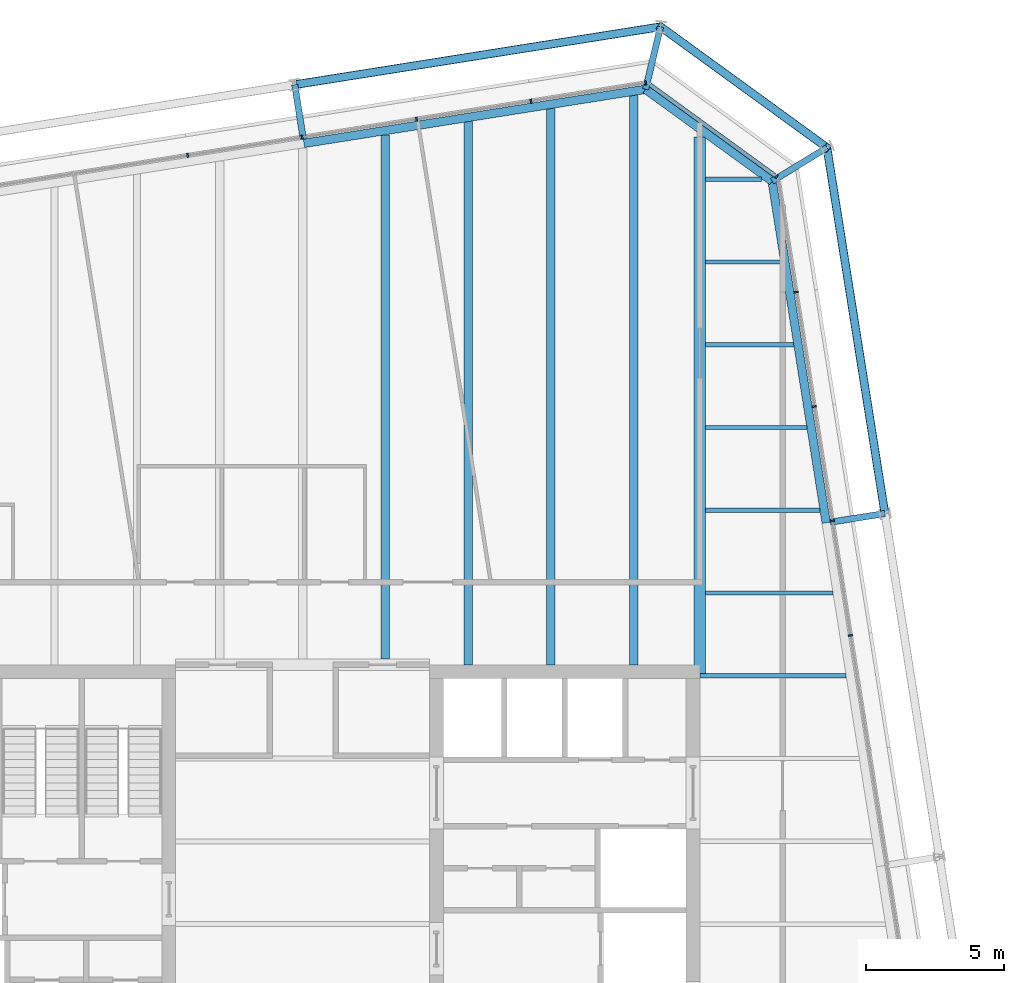
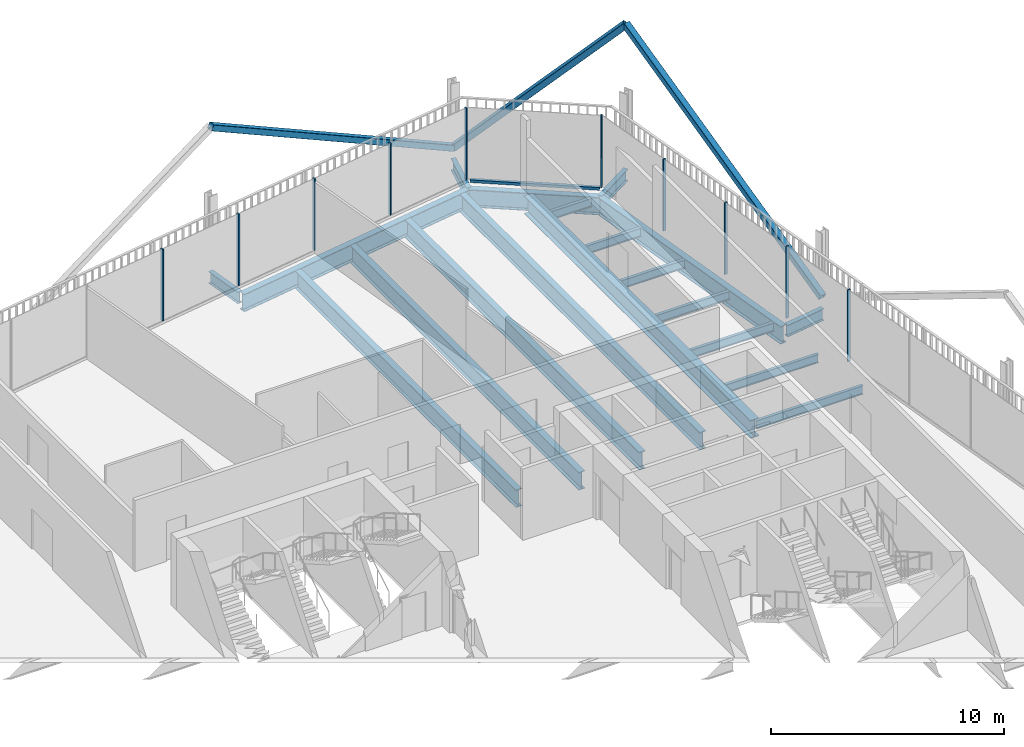
# One storey, part 15 of 21: 19 beams, 14 members, 3 elements without a shape of their own.
"""IFC4 building model written with IfcOpenShell, lengths in metres."""

import ifcopenshell
import ifcopenshell.guid

model = None  # the IFC model being written
_history = None  # IfcOwnerHistory: only IFC2X3 demands one
_inside = {}  # id of a spatial element -> (the spatial element, [elements in it])
_under = {}  # id of a project, library or spatial element -> (it, [spatial elements below it])
_declared = {}  # id of a project -> (the project, [libraries it declares])
_typed = {}  # id of a type object -> (the type object, [elements of that type])
_made_of = {}  # id of a material, layer set ... -> (it, [elements and type objects made of it])


def new_model(schema):
    """Start an empty IFC model of exactly this schema.

    Asked for "IFC4X3", IfcOpenShell would pick the latest addendum, in which some entities
    have other attributes; the version numbers below select the first issue.
    IFC2X3 requires an IfcOwnerHistory on every rooted entity: one is made here for all.
    """
    global model, _history
    if schema == "IFC4X3":
        model = ifcopenshell.file(schema_version=(4, 3, 0, 0))
    else:
        model = ifcopenshell.file(schema=schema)
    _inside.clear()
    _under.clear()
    _declared.clear()
    _typed.clear()
    _made_of.clear()
    _history = None
    if model.schema == "IFC2X3":
        org = make("IfcOrganization", Name="unknown")
        user = make(
            "IfcPersonAndOrganization",
            ThePerson=make("IfcPerson", FamilyName="unknown"),
            TheOrganization=org,
        )
        app = make(
            "IfcApplication",
            ApplicationDeveloper=org,
            Version="unknown",
            ApplicationFullName="unknown",
            ApplicationIdentifier="unknown",
        )
        _history = make(
            "IfcOwnerHistory",
            OwningUser=user,
            OwningApplication=app,
            ChangeAction="ADDED",
            CreationDate=0,
        )
    return model


def make(cls, **values):
    """One entity of the class cls with the attributes given. An attribute that is None is left unset."""
    return model.create_entity(
        cls, **{name: value for name, value in values.items() if value is not None}
    )


def rooted(cls, **values):
    """An entity with a GlobalId (a new one), such as an element, a storey or a relation."""
    return make(cls, GlobalId=ifcopenshell.guid.new(), OwnerHistory=_history, **values)


def si_unit(unit_type, name, prefix=None):
    """IfcSIUnit, for example si_unit("LENGTHUNIT", "METRE", prefix="MILLI")."""
    return make("IfcSIUnit", UnitType=unit_type, Prefix=prefix, Name=name)


def assignment(units):
    """IfcUnitAssignment: the units of a project."""
    return None if units is None else make("IfcUnitAssignment", Units=units)


def point(xyz):
    """IfcCartesianPoint."""
    return None if xyz is None else make("IfcCartesianPoint", Coordinates=xyz)


def direction(xyz):
    """IfcDirection."""
    return None if xyz is None else make("IfcDirection", DirectionRatios=xyz)


def frame(location, z_axis=None, x_axis=None):
    """IfcAxis2Placement3D, a coordinate frame: its origin and axes. An axis left out is left unset."""
    return make(
        "IfcAxis2Placement3D",
        Location=point(location),
        Axis=direction(z_axis),
        RefDirection=direction(x_axis),
    )


def frame_2d(location, x_axis=None):
    """IfcAxis2Placement2D, a coordinate frame in the plane: its origin and x axis."""
    return make(
        "IfcAxis2Placement2D", Location=point(location), RefDirection=direction(x_axis)
    )


def origin():
    """The frame at (0, 0, 0) with its axes left unset."""
    return frame((0.0, 0.0, 0.0))


def origin_2d():
    """The frame at (0, 0) in the plane with its x axis left unset."""
    return frame_2d((0.0, 0.0))


def place(relative_to, where):
    """IfcLocalPlacement: puts the frame where relative to a parent placement (None: the world)."""
    return make(
        "IfcLocalPlacement", PlacementRelTo=relative_to, RelativePlacement=where
    )


def context(
    kind, dimensions, precision=None, world=None, true_north=None, identifier=None
):
    """IfcGeometricRepresentationContext, for example the 3D "Model" context."""
    return make(
        "IfcGeometricRepresentationContext",
        ContextIdentifier=identifier,
        ContextType=kind,
        CoordinateSpaceDimension=dimensions,
        Precision=precision,
        WorldCoordinateSystem=world,
        TrueNorth=true_north,
    )


def subcontext(parent, identifier, kind, view, scale=None):
    """IfcGeometricRepresentationSubContext, for example "Body" below "Model"."""
    return make(
        "IfcGeometricRepresentationSubContext",
        ContextIdentifier=identifier,
        ContextType=kind,
        ParentContext=parent,
        TargetScale=scale,
        TargetView=view,
    )


def project(units=None, contexts=None):
    """IfcProject with its units and contexts."""
    return rooted(
        "IfcProject",
        Name="project",
        RepresentationContexts=contexts,
        UnitsInContext=assignment(units),
    )


def spatial(cls, under=None, at=None, **own):
    """A site, building, storey or space (cls), placed at a placement, below another one or the project."""
    s = rooted(cls, ObjectPlacement=at, **own)
    if under is not None:
        _under.setdefault(under.id(), (under, []))[1].append(s)
    return s


def profile(cls, at=None, kind="AREA", **sizes):
    """A parametric profile (cls). Its sizes go by their IFC names, for example OverallWidth=200.0."""
    return make(cls, ProfileType=kind, Position=at, **sizes)


def rectangle(**sizes):
    """IfcRectangleProfileDef."""
    return profile("IfcRectangleProfileDef", **sizes)


def hollow_rectangle(**sizes):
    """IfcRectangleHollowProfileDef."""
    return profile("IfcRectangleHollowProfileDef", **sizes)


def i_section(**sizes):
    """IfcIShapeProfileDef."""
    return profile("IfcIShapeProfileDef", **sizes)


def extrude(swept, where, along, depth):
    """IfcExtrudedAreaSolid: the profile swept, set in the frame where, extruded along a direction by depth."""
    return make(
        "IfcExtrudedAreaSolid",
        SweptArea=swept,
        Position=where,
        ExtrudedDirection=direction(along),
        Depth=depth,
    )


def shape(context_of_items, identifier, shape_type, items):
    """IfcShapeRepresentation: the items that make up one representation, for example the "Body"."""
    return make(
        "IfcShapeRepresentation",
        ContextOfItems=context_of_items,
        RepresentationIdentifier=identifier,
        RepresentationType=shape_type,
        Items=items,
    )


def material(Name=None, Category=None):
    """IfcMaterial."""
    return make("IfcMaterial", Name=Name, Category=Category)


def layer(
    of_material, thickness, ventilated=None, Name=None, Category=None, Priority=None
):
    """IfcMaterialLayer: one layer of a wall or slab, of a material (None: an air gap)."""
    return make(
        "IfcMaterialLayer",
        Material=of_material,
        LayerThickness=thickness,
        IsVentilated=ventilated,
        Name=Name,
        Category=Category,
        Priority=Priority,
    )


def layer_set(layers, Name=None):
    """IfcMaterialLayerSet."""
    return make("IfcMaterialLayerSet", MaterialLayers=layers, LayerSetName=Name)


def material_profile(
    of_material, cross_section, Name=None, Category=None, Priority=None
):
    """IfcMaterialProfile: a cross section and its material."""
    return make(
        "IfcMaterialProfile",
        Name=Name,
        Material=of_material,
        Profile=cross_section,
        Priority=Priority,
        Category=Category,
    )


def profile_set(profiles, Name=None, composite=None):
    """IfcMaterialProfileSet."""
    return make(
        "IfcMaterialProfileSet",
        Name=Name,
        MaterialProfiles=profiles,
        CompositeProfile=composite,
    )


def made_of(thing, what):
    """Note that an element or type object is made of a material, layer set ...; save() writes the relation."""
    if what is not None:
        _made_of.setdefault(what.id(), (what, []))[1].append(thing)
    return thing


def type_object(cls, material=None, **own):
    """A type object (cls), such as IfcWallType, which elements share."""
    return made_of(rooted(cls, **own), material)


def element(
    cls,
    number,
    at=None,
    inside=None,
    cuts=None,
    type_object=None,
    material=None,
    context=None,
    identifier="Body",
    shape_type=None,
    held_by="IfcProductDefinitionShape",
    body=None,
    shapes=None,
    **own,
):
    """One element of the class cls, such as IfcWall. Its Tag is "e" and its number.

    at: its placement. inside: the storey or other place that contains it. cuts: it is an
    opening in that element (IfcRelVoidsElement). A single representation is given by context,
    identifier, shape_type and body (its items); several are given by shapes. held_by: the class
    of the entity that holds the representations. save() writes the other relations.
    """
    e = rooted(cls, Tag="e%d" % number, ObjectPlacement=at, **own)
    if body is not None:
        shapes = [shape(context, identifier, shape_type, body)]
    if shapes is not None:
        e.Representation = make(held_by, Representations=shapes)
    if inside is not None:
        _inside.setdefault(inside.id(), (inside, []))[1].append(e)
    if cuts is not None:
        rooted(
            "IfcRelVoidsElement", RelatingBuildingElement=cuts, RelatedOpeningElement=e
        )
    if type_object is not None:
        _typed.setdefault(type_object.id(), (type_object, []))[1].append(e)
    return made_of(e, material)


def aggregate(whole, parts):
    """IfcRelAggregates: a whole, such as a stair, and the parts it consists of."""
    return rooted("IfcRelAggregates", RelatingObject=whole, RelatedObjects=parts)


def save(model, path):
    """Write the relations noted so far, then the file.

    IfcRelAggregates (storeys below a building ...), IfcRelContainedInSpatialStructure (elements
    in a storey), IfcRelDefinesByType, IfcRelAssociatesMaterial and IfcRelDeclares: one each for
    every whole, place, type object, material and project.
    """
    for whole, parts in _under.values():
        aggregate(whole, parts)
    for where, things in _inside.values():
        rooted(
            "IfcRelContainedInSpatialStructure",
            RelatedElements=things,
            RelatingStructure=where,
        )
    for kind, things in _typed.values():
        rooted("IfcRelDefinesByType", RelatedObjects=things, RelatingType=kind)
    for what, things in _made_of.values():
        rooted("IfcRelAssociatesMaterial", RelatedObjects=things, RelatingMaterial=what)
    for by, libraries in _declared.values():
        rooted("IfcRelDeclares", RelatingContext=by, RelatedDefinitions=libraries)
    model.write(path)


model = new_model("IFC4")

# Units and contexts
model_context = context("Model", 3, precision=1e-05, world=origin(), true_north=direction((0.0, 1.0)))
body_context = subcontext(model_context, "Body", "Model", "MODEL_VIEW")
ifc_project = project(units=[si_unit("LENGTHUNIT", "METRE"), si_unit("AREAUNIT", "SQUARE_METRE"), si_unit("VOLUMEUNIT", "CUBIC_METRE"), si_unit("PLANEANGLEUNIT", "RADIAN"), si_unit("MASSUNIT", "GRAM", prefix="KILO")], contexts=[model_context])

# Site, building, storey
site_placement = place(None, origin())
site = spatial("IfcSite", under=ifc_project, at=site_placement, CompositionType="ELEMENT")
building_placement = place(site_placement, origin())
building = spatial("IfcBuilding", under=site, at=building_placement, Name="Millrace Tower", CompositionType="ELEMENT")
storey_placement = place(building_placement, frame((0.0, 0.0, 212.5)))
storey = spatial("IfcBuildingStorey", under=building, at=storey_placement, Name="L48", CompositionType="ELEMENT", Elevation=212.5)

# Curtain wall, members
ifc_material_1 = material(Name="Aluminium and glass", Category="aluminium")
ifc_layer = layer(ifc_material_1, 0.14990234375)
ifc_layer_set = layer_set([ifc_layer], Name="Aluminium and glass")
curtain_wall_type = type_object("IfcCurtainWallType", Name="CW-1 office vision curtain wall", PredefinedType="NOTDEFINED", material=ifc_layer_set)
placement = place(storey_placement, origin())
curtain_wall_1 = element("IfcCurtainWall", 1, at=placement, inside=storey, type_object=curtain_wall_type, Name="Curtain wall D-F04 L48", PredefinedType="NOTDEFINED")
ifc_material_2 = material(Name="Aluminium", Category="aluminium")
ifc_material_profile_1 = material_profile(ifc_material_2, rectangle(XDim=0.06494140625, YDim=0.14990234375, at=origin_2d()))
ifc_profile_set_1 = profile_set([ifc_material_profile_1], Name="Aluminium")
member_type_1 = type_object("IfcMemberType", Name="CW-1 office vision curtain wall mullion", PredefinedType="MULLION", material=ifc_profile_set_1)
member_1_placement = place(storey_placement, frame((19.857421875, 10.466064453125, 0.139892578125), z_axis=(0.0, 0.0, 1.0), x_axis=(-0.156434471884, 0.987688339511, 0.0)))
member_1 = element("IfcMember", 2, at=member_1_placement, type_object=member_type_1, Name="CW1 mullion D-F04.6", PredefinedType="MULLION", context=body_context, shape_type="SweptSolid", body=[
    extrude(rectangle(XDim=0.06494140625, YDim=0.14990234375, at=origin_2d()), origin(), (0.0, 0.0, 1.0), 3.760009765625),
])
member_2_placement = place(storey_placement, frame((19.2001953125, 14.6142578125, 0.139892578125), z_axis=(0.0, 0.0, 1.0), x_axis=(-0.156434471884, 0.987688339511, 0.0)))
member_2 = element("IfcMember", 3, at=member_2_placement, type_object=member_type_1, Name="CW1 mullion D-F04.7", PredefinedType="MULLION", context=body_context, shape_type="SweptSolid", body=[
    extrude(rectangle(XDim=0.06494140625, YDim=0.14990234375, at=origin_2d()), origin(), (0.0, 0.0, 1.0), 3.760009765625),
])
member_3_placement = place(storey_placement, frame((18.543212890625, 18.762451171875, 0.139892578125), z_axis=(0.0, 0.0, 1.0), x_axis=(-0.156434471884, 0.987688339511, 0.0)))
member_3 = element("IfcMember", 4, at=member_3_placement, type_object=member_type_1, Name="CW1 mullion D-F04.8", PredefinedType="MULLION", context=body_context, shape_type="SweptSolid", body=[
    extrude(rectangle(XDim=0.06494140625, YDim=0.14990234375, at=origin_2d()), origin(), (0.0, 0.0, 1.0), 3.760009765625),
])
member_4_placement = place(storey_placement, frame((17.88623046875, 22.910888671875, 0.139892578125), z_axis=(0.0, 0.0, 1.0), x_axis=(-0.156434471884, 0.987688339511, 0.0)))
member_4 = element("IfcMember", 5, at=member_4_placement, type_object=member_type_1, Name="CW1 mullion D-F04.9", PredefinedType="MULLION", context=body_context, shape_type="SweptSolid", body=[
    extrude(rectangle(XDim=0.06494140625, YDim=0.14990234375, at=origin_2d()), origin(), (0.0, 0.0, 1.0), 3.760009765625),
])
aggregate(curtain_wall_1, [member_1, member_2, member_3, member_4])

# Curtain wall, member
curtain_wall_2 = element("IfcCurtainWall", 6, at=placement, inside=storey, type_object=curtain_wall_type, Name="Curtain wall D-F05 L48", PredefinedType="NOTDEFINED")
member_5_placement = place(storey_placement, frame((17.177978515625, 27.094970703125, 0.139892578125), z_axis=(0.0, 0.0, 1.0), x_axis=(-0.809016955361, 0.587785305991, 0.0)))
member_5 = element("IfcMember", 7, at=member_5_placement, type_object=member_type_1, Name="CW1 mullion D-F05.1", PredefinedType="MULLION", context=body_context, shape_type="SweptSolid", body=[
    extrude(rectangle(XDim=0.06494140625, YDim=0.14990234375, at=origin_2d()), origin(), (0.0, 0.0, 1.0), 3.760009765625),
])

# Curtain wall, members
curtain_wall_3 = element("IfcCurtainWall", 8, at=placement, inside=storey, type_object=curtain_wall_type, Name="Curtain wall D-F06 L48", PredefinedType="NOTDEFINED")
member_6_placement = place(storey_placement, frame((12.425537109375, 30.492431640625, 0.139892578125), z_axis=(0.0, 0.0, 1.0), x_axis=(-0.987688339511, -0.156434471884, 0.0)))
member_6 = element("IfcMember", 9, at=member_6_placement, type_object=member_type_1, Name="CW1 mullion D-F06.1", PredefinedType="MULLION", context=body_context, shape_type="SweptSolid", body=[
    extrude(rectangle(XDim=0.06494140625, YDim=0.14990234375, at=origin_2d()), origin(), (0.0, 0.0, 1.0), 3.760009765625),
])
member_7_placement = place(storey_placement, frame((8.277099609375, 29.83544921875, 0.139892578125), z_axis=(0.0, 0.0, 1.0), x_axis=(-0.987688339511, -0.156434471884, 0.0)))
member_7 = element("IfcMember", 10, at=member_7_placement, type_object=member_type_1, Name="CW1 mullion D-F06.2", PredefinedType="MULLION", context=body_context, shape_type="SweptSolid", body=[
    extrude(rectangle(XDim=0.06494140625, YDim=0.14990234375, at=origin_2d()), origin(), (0.0, 0.0, 1.0), 3.760009765625),
])
member_8_placement = place(storey_placement, frame((4.12890625, 29.178466796875, 0.139892578125), z_axis=(0.0, 0.0, 1.0), x_axis=(-0.987688339511, -0.156434471884, 0.0)))
member_8 = element("IfcMember", 11, at=member_8_placement, type_object=member_type_1, Name="CW1 mullion D-F06.3", PredefinedType="MULLION", context=body_context, shape_type="SweptSolid", body=[
    extrude(rectangle(XDim=0.06494140625, YDim=0.14990234375, at=origin_2d()), origin(), (0.0, 0.0, 1.0), 3.760009765625),
])
member_9_placement = place(storey_placement, frame((-0.019287109375, 28.521240234375, 0.139892578125), z_axis=(0.0, 0.0, 1.0), x_axis=(-0.987688339511, -0.156434471884, 0.0)))
member_9 = element("IfcMember", 12, at=member_9_placement, type_object=member_type_1, Name="CW1 mullion D-F06.4", PredefinedType="MULLION", context=body_context, shape_type="SweptSolid", body=[
    extrude(rectangle(XDim=0.06494140625, YDim=0.14990234375, at=origin_2d()), origin(), (0.0, 0.0, 1.0), 3.760009765625),
])
member_10_placement = place(storey_placement, frame((-4.167724609375, 27.8642578125, 0.139892578125), z_axis=(0.0, 0.0, 1.0), x_axis=(-0.987688339511, -0.156434471884, 0.0)))
member_10 = element("IfcMember", 13, at=member_10_placement, type_object=member_type_1, Name="CW1 mullion D-F06.5", PredefinedType="MULLION", context=body_context, shape_type="SweptSolid", body=[
    extrude(rectangle(XDim=0.06494140625, YDim=0.14990234375, at=origin_2d()), origin(), (0.0, 0.0, 1.0), 3.760009765625),
])
aggregate(curtain_wall_3, [member_6, member_7, member_8, member_9, member_10])

# Member
ifc_material_3 = material(Name="Aluminium", Category="aluminium")
ifc_material_profile_2 = material_profile(ifc_material_3, rectangle(XDim=0.14990234375, YDim=0.139892578125, at=origin_2d()))
ifc_profile_set_2 = profile_set([ifc_material_profile_2], Name="Aluminium")
member_type_2 = type_object("IfcMemberType", Name="CW-1 office vision curtain wall transom", PredefinedType="USERDEFINED", material=ifc_profile_set_2)
member_11_placement = place(storey_placement, frame((17.123291015625, 27.134765625, 0.070068359375), z_axis=(-0.809018869857, 0.587782670904, 0.0), x_axis=(-0.587782670904, -0.809018869857, 0.0)))
member_11 = element("IfcMember", 14, at=member_11_placement, type_object=member_type_2, Name="CW1 transom D-F05.1", ObjectType="TRANSOM", PredefinedType="USERDEFINED", context=body_context, shape_type="SweptSolid", body=[
    extrude(rectangle(XDim=0.14990234375, YDim=0.139892578125, at=origin_2d()), origin(), (0.0, 0.0, 1.0), 5.59814453125),
])

aggregate(curtain_wall_2, [member_5, member_11])

# Members
ifc_material_4 = material(Name="Steel ASTM A500 Grade C", Category="steel")
ifc_material_profile_3 = material_profile(ifc_material_4, hollow_rectangle(XDim=0.3046875, YDim=0.3046875, WallThickness=0.0126953125, InnerFilletRadius=0.00634765625, OuterFilletRadius=0.01904296875, at=origin_2d()))
ifc_profile_set_3 = profile_set([ifc_material_profile_3], Name="Steel ASTM A500 Grade C")
member_type_3 = type_object("IfcMemberType", Name="Exoskeleton brace HSS12x12x1/2", PredefinedType="BRACE", material=ifc_profile_set_3)
member_12_placement = place(storey_placement, frame((21.106689453125, 14.88330078125, 0.39990234375), z_axis=(-0.138712380788, 0.87583551821, 0.462245627841), x_axis=(-0.987689444837, -0.156427492975, 0.0)))
element("IfcMember", 15, at=member_12_placement, inside=storey, type_object=member_type_3, Name="BRC-D-L48-08", PredefinedType="BRACE", context=body_context, shape_type="SweptSolid", body=[
    extrude(hollow_rectangle(XDim=0.3046875, YDim=0.3046875, WallThickness=0.0126953125, InnerFilletRadius=0.00634765625, OuterFilletRadius=0.01904296875, at=origin_2d()), origin(), (0.0, 0.0, 1.0), 15.1435546875),
])
member_13_placement = place(storey_placement, frame((12.974609375, 32.5283203125, 0.39990234375), z_axis=(0.589795997835, -0.428482435505, 0.684502361867), x_axis=(0.587758820843, 0.809036197288, 0.0)))
element("IfcMember", 16, at=member_13_placement, inside=storey, type_object=member_type_3, Name="BRC-D-L48-09", PredefinedType="BRACE", context=body_context, shape_type="SweptSolid", body=[
    extrude(hollow_rectangle(XDim=0.3046875, YDim=0.3046875, WallThickness=0.0126953125, InnerFilletRadius=0.00634765625, OuterFilletRadius=0.01904296875, at=origin_2d()), origin(), (0.0, 0.0, 1.0), 10.226318359375),
])
member_14_placement = place(storey_placement, frame((12.974609375, 32.5283203125, 0.39990234375), z_axis=(-0.875831763156, -0.138714339442, 0.462252154868), x_axis=(0.156430301989, -0.987688999949, 0.0)))
element("IfcMember", 17, at=member_14_placement, inside=storey, type_object=member_type_3, Name="BRC-D-L48-10", PredefinedType="BRACE", context=body_context, shape_type="SweptSolid", body=[
    extrude(hollow_rectangle(XDim=0.3046875, YDim=0.3046875, WallThickness=0.0126953125, InnerFilletRadius=0.00634765625, OuterFilletRadius=0.01904296875, at=origin_2d()), origin(), (0.0, 0.0, 1.0), 15.143310546875),
])

# Beams
ifc_material_5 = material(Name="Steel ASTM A992 Grade 50", Category="steel")
ifc_material_profile_4 = material_profile(ifc_material_5, i_section(OverallWidth=0.15234375, OverallDepth=0.449462890625, WebThickness=0.007568359375, FlangeThickness=0.0107421875, FilletRadius=0.01025390625, at=origin_2d()))
ifc_profile_set_4 = profile_set([ifc_material_profile_4], Name="Steel ASTM A992 Grade 50")
beam_type_1 = type_object("IfcBeamType", Name="Floor beam W18x35", PredefinedType="JOIST", material=ifc_profile_set_4)
beam_1_placement = place(storey_placement, frame((14.39990234375, 9.0, -0.384765625), z_axis=(1.0, 0.0, 0.0), x_axis=(0.0, 1.0, 0.0)))
element("IfcBeam", 18, at=beam_1_placement, inside=storey, type_object=beam_type_1, Name="BM-D-L48-S1-S024", PredefinedType="JOIST", context=body_context, shape_type="SweptSolid", body=[
    extrude(i_section(OverallWidth=0.15234375, OverallDepth=0.449462890625, WebThickness=0.007568359375, FlangeThickness=0.0107421875, FilletRadius=0.01025390625, at=origin_2d()), origin(), (0.0, 0.0, 1.0), 5.302490234375),
])
beam_2_placement = place(storey_placement, frame((14.609619140625, 12.0, -0.384765625), z_axis=(1.0, 0.0, 0.0), x_axis=(0.0, 1.0, 0.0)))
element("IfcBeam", 19, at=beam_2_placement, inside=storey, type_object=beam_type_1, Name="BM-D-L48-S1-S026", PredefinedType="JOIST", context=body_context, shape_type="SweptSolid", body=[
    extrude(i_section(OverallWidth=0.15234375, OverallDepth=0.449462890625, WebThickness=0.007568359375, FlangeThickness=0.0107421875, FilletRadius=0.01025390625, at=origin_2d()), origin(), (0.0, 0.0, 1.0), 4.61767578125),
])
beam_3_placement = place(storey_placement, frame((14.609619140625, 15.0, -0.384765625), z_axis=(1.0, 0.0, 0.0), x_axis=(0.0, 1.0, 0.0)))
element("IfcBeam", 20, at=beam_3_placement, inside=storey, type_object=beam_type_1, Name="BM-D-L48-S1-S028", PredefinedType="JOIST", context=body_context, shape_type="SweptSolid", body=[
    extrude(i_section(OverallWidth=0.15234375, OverallDepth=0.449462890625, WebThickness=0.007568359375, FlangeThickness=0.0107421875, FilletRadius=0.01025390625, at=origin_2d()), origin(), (0.0, 0.0, 1.0), 4.142578125),
])
beam_4_placement = place(storey_placement, frame((14.609619140625, 18.0, -0.384765625), z_axis=(1.0, 0.0, 0.0), x_axis=(0.0, 1.0, 0.0)))
element("IfcBeam", 21, at=beam_4_placement, inside=storey, type_object=beam_type_1, Name="BM-D-L48-S1-S030", PredefinedType="JOIST", context=body_context, shape_type="SweptSolid", body=[
    extrude(i_section(OverallWidth=0.15234375, OverallDepth=0.449462890625, WebThickness=0.007568359375, FlangeThickness=0.0107421875, FilletRadius=0.01025390625, at=origin_2d()), origin(), (0.0, 0.0, 1.0), 3.667236328125),
])
beam_5_placement = place(storey_placement, frame((14.609619140625, 21.0, -0.384765625), z_axis=(1.0, 0.0, 0.0), x_axis=(0.0, 1.0, 0.0)))
element("IfcBeam", 22, at=beam_5_placement, inside=storey, type_object=beam_type_1, Name="BM-D-L48-S1-S032", PredefinedType="JOIST", context=body_context, shape_type="SweptSolid", body=[
    extrude(i_section(OverallWidth=0.15234375, OverallDepth=0.449462890625, WebThickness=0.007568359375, FlangeThickness=0.0107421875, FilletRadius=0.01025390625, at=origin_2d()), origin(), (0.0, 0.0, 1.0), 3.192138671875),
])
beam_6_placement = place(storey_placement, frame((14.609619140625, 24.0, -0.384765625), z_axis=(1.0, 0.0, 0.0), x_axis=(0.0, 1.0, 0.0)))
element("IfcBeam", 23, at=beam_6_placement, inside=storey, type_object=beam_type_1, Name="BM-D-L48-S1-S034", PredefinedType="JOIST", context=body_context, shape_type="SweptSolid", body=[
    extrude(i_section(OverallWidth=0.15234375, OverallDepth=0.449462890625, WebThickness=0.007568359375, FlangeThickness=0.0107421875, FilletRadius=0.01025390625, at=origin_2d()), origin(), (0.0, 0.0, 1.0), 2.717041015625),
])
beam_7_placement = place(storey_placement, frame((14.609619140625, 27.0, -0.384765625), z_axis=(1.0, 0.0, 0.0), x_axis=(0.0, 1.0, 0.0)))
element("IfcBeam", 24, at=beam_7_placement, inside=storey, type_object=beam_type_1, Name="BM-D-L48-S1-S035", PredefinedType="JOIST", context=body_context, shape_type="SweptSolid", body=[
    extrude(i_section(OverallWidth=0.15234375, OverallDepth=0.449462890625, WebThickness=0.007568359375, FlangeThickness=0.0107421875, FilletRadius=0.01025390625, at=origin_2d()), origin(), (0.0, 0.0, 1.0), 2.020751953125),
])
ifc_material_6 = material(Name="Steel ASTM A992 Grade 50", Category="steel")
ifc_material_profile_5 = material_profile(ifc_material_6, i_section(OverallWidth=0.307373046875, OverallDepth=0.927001953125, WebThickness=0.01953125, FlangeThickness=0.031982421875, FilletRadius=0.01904296875, at=origin_2d()))
ifc_profile_set_5 = profile_set([ifc_material_profile_5], Name="Steel ASTM A992 Grade 50")
beam_type_2 = type_object("IfcBeamType", Name="Floor beam W36x194", PredefinedType="JOIST", material=ifc_profile_set_5)
beam_8_placement = place(storey_placement, frame((3.0, 9.609619140625, -0.62353515625), z_axis=(0.0, 1.0, 0.0), x_axis=(-1.0, 0.0, 0.0)))
element("IfcBeam", 25, at=beam_8_placement, inside=storey, type_object=beam_type_2, Name="BM-D-L48-S1-S046", PredefinedType="JOIST", context=body_context, shape_type="SweptSolid", body=[
    extrude(i_section(OverallWidth=0.307373046875, OverallDepth=0.927001953125, WebThickness=0.01953125, FlangeThickness=0.031982421875, FilletRadius=0.01904296875, at=origin_2d()), origin(), (0.0, 0.0, 1.0), 19.0029296875),
])
beam_9_placement = place(storey_placement, frame((6.0, 9.39990234375, -0.62353515625), z_axis=(0.0, 1.0, 0.0), x_axis=(-1.0, 0.0, 0.0)))
element("IfcBeam", 26, at=beam_9_placement, inside=storey, type_object=beam_type_2, Name="BM-D-L48-S1-S048", PredefinedType="JOIST", context=body_context, shape_type="SweptSolid", body=[
    extrude(i_section(OverallWidth=0.307373046875, OverallDepth=0.927001953125, WebThickness=0.01953125, FlangeThickness=0.031982421875, FilletRadius=0.01904296875, at=origin_2d()), origin(), (0.0, 0.0, 1.0), 19.687744140625),
])
beam_10_placement = place(storey_placement, frame((9.0, 9.39990234375, -0.62353515625), z_axis=(0.0, 1.0, 0.0), x_axis=(-1.0, 0.0, 0.0)))
element("IfcBeam", 27, at=beam_10_placement, inside=storey, type_object=beam_type_2, Name="BM-D-L48-S1-S050", PredefinedType="JOIST", context=body_context, shape_type="SweptSolid", body=[
    extrude(i_section(OverallWidth=0.307373046875, OverallDepth=0.927001953125, WebThickness=0.01953125, FlangeThickness=0.031982421875, FilletRadius=0.01904296875, at=origin_2d()), origin(), (0.0, 0.0, 1.0), 20.162841796875),
])
beam_11_placement = place(storey_placement, frame((12.0, 9.39990234375, -0.62353515625), z_axis=(0.0, 1.0, 0.0), x_axis=(-1.0, 0.0, 0.0)))
element("IfcBeam", 28, at=beam_11_placement, inside=storey, type_object=beam_type_2, Name="BM-D-L48-S1-S052", PredefinedType="JOIST", context=body_context, shape_type="SweptSolid", body=[
    extrude(i_section(OverallWidth=0.307373046875, OverallDepth=0.927001953125, WebThickness=0.01953125, FlangeThickness=0.031982421875, FilletRadius=0.01904296875, at=origin_2d()), origin(), (0.0, 0.0, 1.0), 20.637939453125),
])
ifc_material_7 = material(Name="Steel ASTM A992 Grade 50", Category="steel")
ifc_material_profile_6 = material_profile(ifc_material_7, i_section(OverallWidth=0.424072265625, OverallDepth=0.947509765625, WebThickness=0.02392578125, FlangeThickness=0.042724609375, FilletRadius=0.024169921875, at=origin_2d()))
ifc_profile_set_6 = profile_set([ifc_material_profile_6], Name="Steel ASTM A992 Grade 50")
beam_type_3 = type_object("IfcBeamType", Name="Girder medium span W36x302", PredefinedType="BEAM", material=ifc_profile_set_6)
beam_12_placement = place(storey_placement, frame((14.39990234375, 9.080078125, -0.6337890625), z_axis=(0.0, 1.0, 0.0), x_axis=(-1.0, 0.0, 0.0)))
element("IfcBeam", 29, at=beam_12_placement, inside=storey, type_object=beam_type_3, Name="BM-D-L48-S1-G056", PredefinedType="BEAM", context=body_context, shape_type="SweptSolid", body=[
    extrude(i_section(OverallWidth=0.424072265625, OverallDepth=0.947509765625, WebThickness=0.02392578125, FlangeThickness=0.042724609375, FilletRadius=0.024169921875, at=origin_2d()), origin(), (0.0, 0.0, 1.0), 19.460693359375),
])
ifc_material_8 = material(Name="Steel ASTM A992 Grade 50", Category="steel")
ifc_material_profile_7 = material_profile(ifc_material_8, i_section(OverallWidth=0.23046875, OverallDepth=0.6171875, WebThickness=0.01318359375, FlangeThickness=0.022216796875, FilletRadius=0.012939453125, at=origin_2d()))
ifc_profile_set_7 = profile_set([ifc_material_profile_7], Name="Steel ASTM A992 Grade 50")
beam_type_4 = type_object("IfcBeamType", Name="Link beam W24x94", PredefinedType="BEAM", material=ifc_profile_set_7)
beam_13_placement = place(storey_placement, frame((0.0244140625, 28.452392578125, -0.468505859375), z_axis=(-0.15637629034, 0.987697552806, 0.0), x_axis=(-0.987697552806, -0.15637629034, 0.0)))
element("IfcBeam", 30, at=beam_13_placement, inside=storey, type_object=beam_type_4, Name="LNK-D-L48-S1-07", PredefinedType="BEAM", context=body_context, shape_type="SweptSolid", body=[
    extrude(i_section(OverallWidth=0.23046875, OverallDepth=0.6171875, WebThickness=0.01318359375, FlangeThickness=0.022216796875, FilletRadius=0.012939453125, at=origin_2d()), origin(), (0.0, 0.0, 1.0), 2.0),
])
beam_14_placement = place(storey_placement, frame((12.430419921875, 30.26171875, -0.468505859375), z_axis=(0.233456138164, 0.972367333652, 0.0), x_axis=(-0.972367333652, 0.233456138164, 0.0)))
element("IfcBeam", 31, at=beam_14_placement, inside=storey, type_object=beam_type_4, Name="LNK-D-L48-S1-08", PredefinedType="BEAM", context=body_context, shape_type="SweptSolid", body=[
    extrude(i_section(OverallWidth=0.23046875, OverallDepth=0.6171875, WebThickness=0.01318359375, FlangeThickness=0.022216796875, FilletRadius=0.012939453125, at=origin_2d()), origin(), (0.0, 0.0, 1.0), 2.3310546875),
])
beam_15_placement = place(storey_placement, frame((17.018310546875, 26.928466796875, -0.468505859375), z_axis=(0.852659946142, 0.5224662824, 0.0), x_axis=(-0.5224662824, 0.852659946142, 0.0)))
element("IfcBeam", 32, at=beam_15_placement, inside=storey, type_object=beam_type_4, Name="LNK-D-L48-S1-09", PredefinedType="BEAM", context=body_context, shape_type="SweptSolid", body=[
    extrude(i_section(OverallWidth=0.23046875, OverallDepth=0.6171875, WebThickness=0.01318359375, FlangeThickness=0.022216796875, FilletRadius=0.012939453125, at=origin_2d()), origin(), (0.0, 0.0, 1.0), 2.331298828125),
])
beam_16_placement = place(storey_placement, frame((19.13134765625, 14.5703125, -0.468505859375), z_axis=(0.987678691416, 0.156495375404, 0.0), x_axis=(-0.156495375404, 0.987678691416, 0.0)))
element("IfcBeam", 33, at=beam_16_placement, inside=storey, type_object=beam_type_4, Name="LNK-D-L48-S1-10", PredefinedType="BEAM", context=body_context, shape_type="SweptSolid", body=[
    extrude(i_section(OverallWidth=0.23046875, OverallDepth=0.6171875, WebThickness=0.01318359375, FlangeThickness=0.022216796875, FilletRadius=0.012939453125, at=origin_2d()), origin(), (0.0, 0.0, 1.0), 2.0),
])
ifc_material_9 = material(Name="Steel ASTM A992 Grade 50", Category="steel")
ifc_material_profile_8 = material_profile(ifc_material_9, i_section(OverallWidth=0.307373046875, OverallDepth=0.927001953125, WebThickness=0.01953125, FlangeThickness=0.031982421875, FilletRadius=0.01904296875, at=origin_2d()))
ifc_profile_set_8 = profile_set([ifc_material_profile_8], Name="Steel ASTM A992 Grade 50")
beam_type_5 = type_object("IfcBeamType", Name="Ring beam medium span W36x194", PredefinedType="SPANDREL", material=ifc_profile_set_8)
beam_17_placement = place(storey_placement, frame((0.048583984375, 28.300537109375, -0.62353515625), z_axis=(0.987687213011, 0.156441584157, 0.0), x_axis=(-0.156441584157, 0.987687213011, 0.0)))
element("IfcBeam", 34, at=beam_17_placement, inside=storey, type_object=beam_type_5, Name="RNG-D-L48-S1-07", PredefinedType="SPANDREL", context=body_context, shape_type="SweptSolid", body=[
    extrude(i_section(OverallWidth=0.307373046875, OverallDepth=0.927001953125, WebThickness=0.01953125, FlangeThickness=0.031982421875, FilletRadius=0.01904296875, at=origin_2d()), origin(), (0.0, 0.0, 1.0), 12.5361328125),
])
beam_18_placement = place(storey_placement, frame((17.018310546875, 26.928466796875, -0.62353515625), z_axis=(0.156438575049, -0.987687689625, 0.0), x_axis=(0.987687689625, 0.156438575049, 0.0)))
element("IfcBeam", 35, at=beam_18_placement, inside=storey, type_object=beam_type_5, Name="RNG-D-L48-S1-09", PredefinedType="SPANDREL", context=body_context, shape_type="SweptSolid", body=[
    extrude(i_section(OverallWidth=0.307373046875, OverallDepth=0.927001953125, WebThickness=0.01953125, FlangeThickness=0.031982421875, FilletRadius=0.01904296875, at=origin_2d()), origin(), (0.0, 0.0, 1.0), 12.536376953125),
])
ifc_material_10 = material(Name="Steel ASTM A992 Grade 50", Category="steel")
ifc_material_profile_9 = material_profile(ifc_material_10, i_section(OverallWidth=0.307373046875, OverallDepth=0.927001953125, WebThickness=0.01953125, FlangeThickness=0.031982421875, FilletRadius=0.01904296875, at=origin_2d()))
ifc_profile_set_9 = profile_set([ifc_material_profile_9], Name="Steel ASTM A992 Grade 50")
beam_type_6 = type_object("IfcBeamType", Name="Ring beam short span W36x194", PredefinedType="SPANDREL", material=ifc_profile_set_9)
beam_19_placement = place(storey_placement, frame((12.430419921875, 30.26171875, -0.62353515625), z_axis=(0.80902082646, -0.587779977844, 0.0), x_axis=(0.587779977844, 0.80902082646, 0.0)))
element("IfcBeam", 36, at=beam_19_placement, inside=storey, type_object=beam_type_6, Name="RNG-D-L48-S1-08", PredefinedType="SPANDREL", context=body_context, shape_type="SweptSolid", body=[
    extrude(i_section(OverallWidth=0.307373046875, OverallDepth=0.927001953125, WebThickness=0.01953125, FlangeThickness=0.031982421875, FilletRadius=0.01904296875, at=origin_2d()), origin(), (0.0, 0.0, 1.0), 5.6708984375),
])

save(model, "model.ifc")
